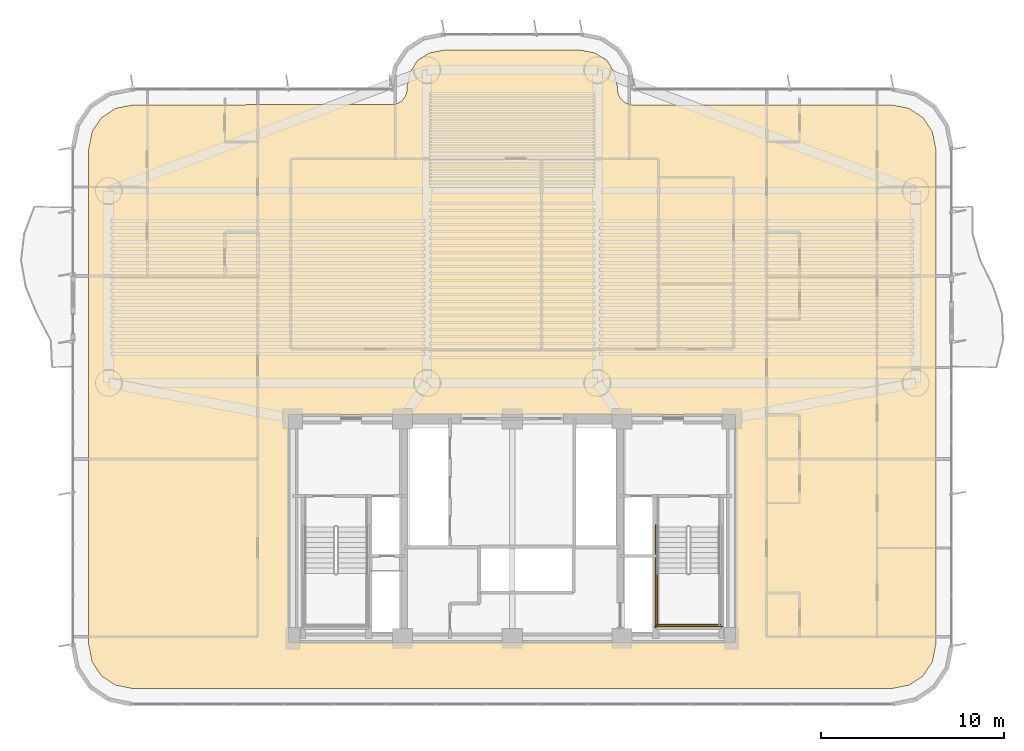
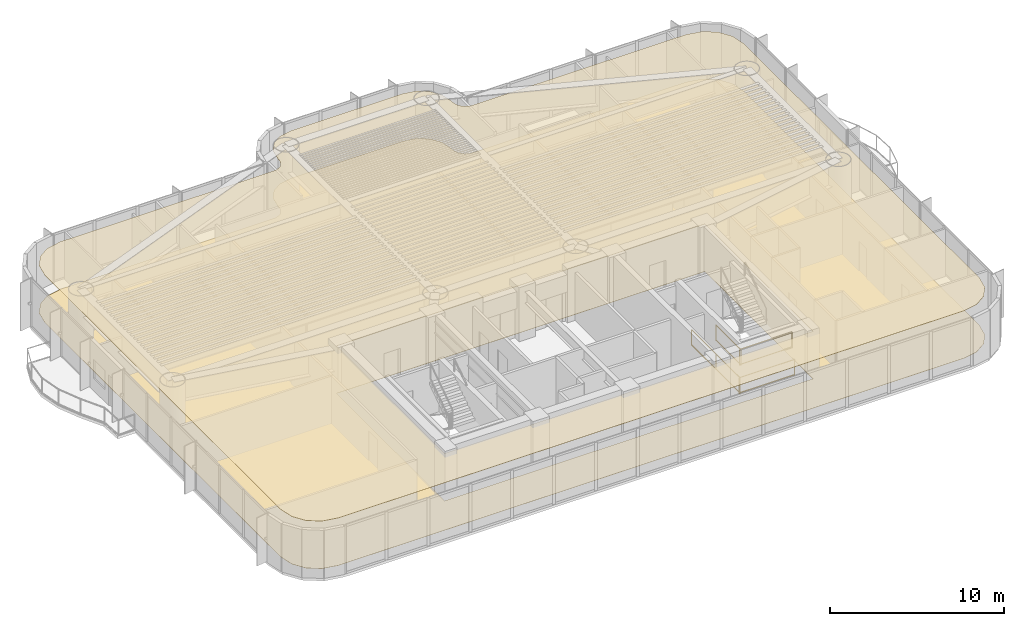
# One storey, part 15 of 17: 4 railings, 2 coverings.
"""IFC4 building model written with IfcOpenShell, lengths in metres."""

import ifcopenshell
import ifcopenshell.guid

model = None  # the IFC model being written
_history = None  # IfcOwnerHistory: only IFC2X3 demands one
_inside = {}  # id of a spatial element -> (the spatial element, [elements in it])
_under = {}  # id of a project, library or spatial element -> (it, [spatial elements below it])
_declared = {}  # id of a project -> (the project, [libraries it declares])
_typed = {}  # id of a type object -> (the type object, [elements of that type])
_made_of = {}  # id of a material, layer set ... -> (it, [elements and type objects made of it])


def new_model(schema):
    """Start an empty IFC model of exactly this schema.

    Asked for "IFC4X3", IfcOpenShell would pick the latest addendum, in which some entities
    have other attributes; the version numbers below select the first issue.
    IFC2X3 requires an IfcOwnerHistory on every rooted entity: one is made here for all.
    """
    global model, _history
    if schema == "IFC4X3":
        model = ifcopenshell.file(schema_version=(4, 3, 0, 0))
    else:
        model = ifcopenshell.file(schema=schema)
    _inside.clear()
    _under.clear()
    _declared.clear()
    _typed.clear()
    _made_of.clear()
    _history = None
    if model.schema == "IFC2X3":
        org = make("IfcOrganization", Name="unknown")
        user = make(
            "IfcPersonAndOrganization",
            ThePerson=make("IfcPerson", FamilyName="unknown"),
            TheOrganization=org,
        )
        app = make(
            "IfcApplication",
            ApplicationDeveloper=org,
            Version="unknown",
            ApplicationFullName="unknown",
            ApplicationIdentifier="unknown",
        )
        _history = make(
            "IfcOwnerHistory",
            OwningUser=user,
            OwningApplication=app,
            ChangeAction="ADDED",
            CreationDate=0,
        )
    return model


def make(cls, **values):
    """One entity of the class cls with the attributes given. An attribute that is None is left unset."""
    return model.create_entity(
        cls, **{name: value for name, value in values.items() if value is not None}
    )


def rooted(cls, **values):
    """An entity with a GlobalId (a new one), such as an element, a storey or a relation."""
    return make(cls, GlobalId=ifcopenshell.guid.new(), OwnerHistory=_history, **values)


def si_unit(unit_type, name, prefix=None):
    """IfcSIUnit, for example si_unit("LENGTHUNIT", "METRE", prefix="MILLI")."""
    return make("IfcSIUnit", UnitType=unit_type, Prefix=prefix, Name=name)


def assignment(units):
    """IfcUnitAssignment: the units of a project."""
    return None if units is None else make("IfcUnitAssignment", Units=units)


def point(xyz):
    """IfcCartesianPoint."""
    return None if xyz is None else make("IfcCartesianPoint", Coordinates=xyz)


def direction(xyz):
    """IfcDirection."""
    return None if xyz is None else make("IfcDirection", DirectionRatios=xyz)


def frame(location, z_axis=None, x_axis=None):
    """IfcAxis2Placement3D, a coordinate frame: its origin and axes. An axis left out is left unset."""
    return make(
        "IfcAxis2Placement3D",
        Location=point(location),
        Axis=direction(z_axis),
        RefDirection=direction(x_axis),
    )


def frame_2d(location, x_axis=None):
    """IfcAxis2Placement2D, a coordinate frame in the plane: its origin and x axis."""
    return make(
        "IfcAxis2Placement2D", Location=point(location), RefDirection=direction(x_axis)
    )


def origin():
    """The frame at (0, 0, 0) with its axes left unset."""
    return frame((0.0, 0.0, 0.0))


def origin_2d():
    """The frame at (0, 0) in the plane with its x axis left unset."""
    return frame_2d((0.0, 0.0))


def place(relative_to, where):
    """IfcLocalPlacement: puts the frame where relative to a parent placement (None: the world)."""
    return make(
        "IfcLocalPlacement", PlacementRelTo=relative_to, RelativePlacement=where
    )


def context(
    kind, dimensions, precision=None, world=None, true_north=None, identifier=None
):
    """IfcGeometricRepresentationContext, for example the 3D "Model" context."""
    return make(
        "IfcGeometricRepresentationContext",
        ContextIdentifier=identifier,
        ContextType=kind,
        CoordinateSpaceDimension=dimensions,
        Precision=precision,
        WorldCoordinateSystem=world,
        TrueNorth=true_north,
    )


def subcontext(parent, identifier, kind, view, scale=None):
    """IfcGeometricRepresentationSubContext, for example "Body" below "Model"."""
    return make(
        "IfcGeometricRepresentationSubContext",
        ContextIdentifier=identifier,
        ContextType=kind,
        ParentContext=parent,
        TargetScale=scale,
        TargetView=view,
    )


def project(units=None, contexts=None):
    """IfcProject with its units and contexts."""
    return rooted(
        "IfcProject",
        Name="project",
        RepresentationContexts=contexts,
        UnitsInContext=assignment(units),
    )


def spatial(cls, under=None, at=None, **own):
    """A site, building, storey or space (cls), placed at a placement, below another one or the project."""
    s = rooted(cls, ObjectPlacement=at, **own)
    if under is not None:
        _under.setdefault(under.id(), (under, []))[1].append(s)
    return s


def polyline(points):
    """IfcPolyline through the points."""
    return make("IfcPolyline", Points=[point(p) for p in points])


def profile(cls, at=None, kind="AREA", **sizes):
    """A parametric profile (cls). Its sizes go by their IFC names, for example OverallWidth=200.0."""
    return make(cls, ProfileType=kind, Position=at, **sizes)


def rectangle(**sizes):
    """IfcRectangleProfileDef."""
    return profile("IfcRectangleProfileDef", **sizes)


def outline(outer, holes=None, kind="AREA"):
    """IfcArbitraryClosedProfileDef: a profile drawn as a closed curve; with holes, ...WithVoids."""
    if holes is None:
        return make("IfcArbitraryClosedProfileDef", ProfileType=kind, OuterCurve=outer)
    return make(
        "IfcArbitraryProfileDefWithVoids",
        ProfileType=kind,
        OuterCurve=outer,
        InnerCurves=holes,
    )


def extrude(swept, where, along, depth):
    """IfcExtrudedAreaSolid: the profile swept, set in the frame where, extruded along a direction by depth."""
    return make(
        "IfcExtrudedAreaSolid",
        SweptArea=swept,
        Position=where,
        ExtrudedDirection=direction(along),
        Depth=depth,
    )


def shape(context_of_items, identifier, shape_type, items):
    """IfcShapeRepresentation: the items that make up one representation, for example the "Body"."""
    return make(
        "IfcShapeRepresentation",
        ContextOfItems=context_of_items,
        RepresentationIdentifier=identifier,
        RepresentationType=shape_type,
        Items=items,
    )


def material(Name=None, Category=None):
    """IfcMaterial."""
    return make("IfcMaterial", Name=Name, Category=Category)


def layer(
    of_material, thickness, ventilated=None, Name=None, Category=None, Priority=None
):
    """IfcMaterialLayer: one layer of a wall or slab, of a material (None: an air gap)."""
    return make(
        "IfcMaterialLayer",
        Material=of_material,
        LayerThickness=thickness,
        IsVentilated=ventilated,
        Name=Name,
        Category=Category,
        Priority=Priority,
    )


def layer_set(layers, Name=None):
    """IfcMaterialLayerSet."""
    return make("IfcMaterialLayerSet", MaterialLayers=layers, LayerSetName=Name)


def made_of(thing, what):
    """Note that an element or type object is made of a material, layer set ...; save() writes the relation."""
    if what is not None:
        _made_of.setdefault(what.id(), (what, []))[1].append(thing)
    return thing


def type_object(cls, material=None, **own):
    """A type object (cls), such as IfcWallType, which elements share."""
    return made_of(rooted(cls, **own), material)


def element(
    cls,
    number,
    at=None,
    inside=None,
    cuts=None,
    type_object=None,
    material=None,
    context=None,
    identifier="Body",
    shape_type=None,
    held_by="IfcProductDefinitionShape",
    body=None,
    shapes=None,
    **own,
):
    """One element of the class cls, such as IfcWall. Its Tag is "e" and its number.

    at: its placement. inside: the storey or other place that contains it. cuts: it is an
    opening in that element (IfcRelVoidsElement). A single representation is given by context,
    identifier, shape_type and body (its items); several are given by shapes. held_by: the class
    of the entity that holds the representations. save() writes the other relations.
    """
    e = rooted(cls, Tag="e%d" % number, ObjectPlacement=at, **own)
    if body is not None:
        shapes = [shape(context, identifier, shape_type, body)]
    if shapes is not None:
        e.Representation = make(held_by, Representations=shapes)
    if inside is not None:
        _inside.setdefault(inside.id(), (inside, []))[1].append(e)
    if cuts is not None:
        rooted(
            "IfcRelVoidsElement", RelatingBuildingElement=cuts, RelatedOpeningElement=e
        )
    if type_object is not None:
        _typed.setdefault(type_object.id(), (type_object, []))[1].append(e)
    return made_of(e, material)


def aggregate(whole, parts):
    """IfcRelAggregates: a whole, such as a stair, and the parts it consists of."""
    return rooted("IfcRelAggregates", RelatingObject=whole, RelatedObjects=parts)


def save(model, path):
    """Write the relations noted so far, then the file.

    IfcRelAggregates (storeys below a building ...), IfcRelContainedInSpatialStructure (elements
    in a storey), IfcRelDefinesByType, IfcRelAssociatesMaterial and IfcRelDeclares: one each for
    every whole, place, type object, material and project.
    """
    for whole, parts in _under.values():
        aggregate(whole, parts)
    for where, things in _inside.values():
        rooted(
            "IfcRelContainedInSpatialStructure",
            RelatedElements=things,
            RelatingStructure=where,
        )
    for kind, things in _typed.values():
        rooted("IfcRelDefinesByType", RelatedObjects=things, RelatingType=kind)
    for what, things in _made_of.values():
        rooted("IfcRelAssociatesMaterial", RelatedObjects=things, RelatingMaterial=what)
    for by, libraries in _declared.values():
        rooted("IfcRelDeclares", RelatingContext=by, RelatedDefinitions=libraries)
    model.write(path)


model = new_model("IFC4")

# Units and contexts
model_context = context("Model", 3, precision=1e-05, world=origin(), true_north=direction((0.0, 1.0)))
body_context = subcontext(model_context, "Body", "Model", "MODEL_VIEW")
ifc_project = project(units=[si_unit("LENGTHUNIT", "METRE"), si_unit("AREAUNIT", "SQUARE_METRE"), si_unit("VOLUMEUNIT", "CUBIC_METRE"), si_unit("PLANEANGLEUNIT", "RADIAN"), si_unit("MASSUNIT", "GRAM", prefix="KILO")], contexts=[model_context])

# Site, building, storey
site_placement = place(None, origin())
site = spatial("IfcSite", under=ifc_project, at=site_placement, CompositionType="ELEMENT")
building_placement = place(site_placement, origin())
building = spatial("IfcBuilding", under=site, at=building_placement, Name="Brelvock Crest Care Tower", CompositionType="ELEMENT")
storey_placement = place(building_placement, frame((0.0, 0.0, 76.139892578125)))
storey = spatial("IfcBuildingStorey", under=building, at=storey_placement, Name="L19", CompositionType="ELEMENT", Elevation=76.139892578125)

# Coverings
ifc_material_1 = material(Name="Mineral Fibre Acoustic Ceiling Tile", Category="gypsum")
ifc_layer_1 = layer(ifc_material_1, 0.02490234375, Name="COV-CLG1")
ifc_layer_set_1 = layer_set([ifc_layer_1], Name="Mineral Fibre Acoustic Ceiling Tile")
covering_type_1 = type_object("IfcCoveringType", Name="COV-CLG1", PredefinedType="CEILING", material=ifc_layer_set_1)
covering_1_placement = place(storey_placement, frame((0.0, 0.0, 3.317138671875)))
element("IfcCovering", 1, at=covering_1_placement, inside=storey, type_object=covering_type_1, Name="L19 Acoustic Suspended Ceiling 1", PredefinedType="CEILING", context=body_context, shape_type="SweptSolid", body=[
    extrude(outline(polyline([(56.71630859375, 35.14990234375), (42.5166015625, 35.154052734375), (42.353271484375, 35.1865234375), (42.127685546875, 35.293212890625), (41.893310546875, 35.52783203125), (41.766357421875, 35.834228515625), (41.75, 36.1162109375), (41.586181640625, 36.939697265625), (41.1669921875, 37.567138671875), (40.539794921875, 37.986083984375), (39.71630859375, 38.14990234375), (32.28369140625, 38.14990234375), (31.460205078125, 37.986083984375), (30.8330078125, 37.567138671875), (30.413818359375, 36.939697265625), (30.25, 36.1162109375), (30.233642578125, 35.834228515625), (30.149658203125, 35.599365234375), (30.0009765625, 35.39892578125), (29.872314453125, 35.293212890625), (29.56591796875, 35.166259765625), (15.28369140625, 35.14990234375), (14.30712890625, 34.955810546875), (13.550048828125, 34.449951171875), (13.044189453125, 33.69287109375), (12.85009765625, 32.71630859375), (12.85009765625, 5.68359375), (13.044189453125, 4.70703125), (13.550048828125, 3.9501953125), (14.30712890625, 3.4443359375), (15.28369140625, 3.25), (56.71630859375, 3.25), (57.69287109375, 3.4443359375), (58.449951171875, 3.9501953125), (58.955810546875, 4.70703125), (59.14990234375, 5.68359375), (59.14990234375, 32.71630859375), (58.955810546875, 33.69287109375), (58.449951171875, 34.449951171875), (57.69287109375, 34.955810546875), (56.71630859375, 35.14990234375)]), holes=[polyline([(48.199951171875, 5.800048828125), (48.199951171875, 18.199951171875), (23.800048828125, 18.199951171875), (23.800048828125, 5.800048828125), (48.199951171875, 5.800048828125)])]), origin(), (0.0, 0.0, 1.0), 0.02490234375),
])
ifc_material_2 = material(Name="Slip-Resistant Acoustic Vinyl Flooring", Category="finish")
ifc_layer_2 = layer(ifc_material_2, 0.014892578125, Name="COV-FLR1")
ifc_layer_set_2 = layer_set([ifc_layer_2], Name="Slip-Resistant Acoustic Vinyl Flooring")
covering_type_2 = type_object("IfcCoveringType", Name="COV-FLR1", PredefinedType="FLOORING", material=ifc_layer_set_2)
covering_2_placement = place(storey_placement, origin())
element("IfcCovering", 2, at=covering_2_placement, inside=storey, type_object=covering_type_2, Name="L19 Slip-Resistant Acoustic Flooring 1", PredefinedType="FLOORING", context=body_context, shape_type="SweptSolid", body=[
    extrude(outline(polyline([(56.71630859375, 35.14990234375), (42.5166015625, 35.154052734375), (42.353271484375, 35.1865234375), (42.127685546875, 35.293212890625), (41.893310546875, 35.52783203125), (41.766357421875, 35.834228515625), (41.75, 36.1162109375), (41.586181640625, 36.939697265625), (41.1669921875, 37.567138671875), (40.539794921875, 37.986083984375), (39.71630859375, 38.14990234375), (32.28369140625, 38.14990234375), (31.460205078125, 37.986083984375), (30.8330078125, 37.567138671875), (30.413818359375, 36.939697265625), (30.25, 36.1162109375), (30.233642578125, 35.834228515625), (30.149658203125, 35.599365234375), (30.0009765625, 35.39892578125), (29.872314453125, 35.293212890625), (29.56591796875, 35.166259765625), (15.28369140625, 35.14990234375), (14.30712890625, 34.955810546875), (13.550048828125, 34.449951171875), (13.044189453125, 33.69287109375), (12.85009765625, 32.71630859375), (12.85009765625, 5.68359375), (13.044189453125, 4.70703125), (13.550048828125, 3.9501953125), (14.30712890625, 3.4443359375), (15.28369140625, 3.25), (56.71630859375, 3.25), (57.69287109375, 3.4443359375), (58.449951171875, 3.9501953125), (58.955810546875, 4.70703125), (59.14990234375, 5.68359375), (59.14990234375, 32.71630859375), (58.955810546875, 33.69287109375), (58.449951171875, 34.449951171875), (57.69287109375, 34.955810546875), (56.71630859375, 35.14990234375)]), holes=[polyline([(48.199951171875, 5.800048828125), (48.199951171875, 18.199951171875), (23.800048828125, 18.199951171875), (23.800048828125, 5.800048828125), (48.199951171875, 5.800048828125)])]), origin(), (0.0, 0.0, 1.0), 0.01513671875),
])

# Railings
ifc_material_3 = material(Name="Steel Grade 350", Category="steel")
ifc_layer_3 = layer(ifc_material_3, 0.050048828125, Name="RL-STG1")
ifc_layer_set_3 = layer_set([ifc_layer_3], Name="Steel Grade 350")
railing_type = type_object("IfcRailingType", Name="RL-STG1", PredefinedType="GUARDRAIL", material=ifc_layer_set_3)
railing_1_placement = place(storey_placement, frame((43.93994140625, 9.56005859375, 1.89013671875)))
element("IfcRailing", 3, at=railing_1_placement, inside=storey, type_object=railing_type, Name="L19 ST-2 stair guard 3", PredefinedType="GUARDRAIL", context=body_context, shape_type="SweptSolid", body=[
    extrude(rectangle(XDim=0.048095703125, YDim=0.048095703125, at=origin_2d()), frame((0.0, -0.001953125, 1.11572265625), z_axis=(0.0, -1.0, 0.0), x_axis=(1.0, 0.0, 0.0)), (0.0, 0.0, 1.0), 2.856201171875),
    extrude(rectangle(XDim=0.048095703125, YDim=0.048095703125, at=origin_2d()), frame((0.0, -0.001953125, 0.054931640625), z_axis=(0.0, -1.0, 0.0), x_axis=(1.0, 0.0, 0.0)), (0.0, 0.0, 1.0), 2.856201171875),
    extrude(rectangle(XDim=0.0419921875, YDim=0.0419921875, at=origin_2d()), origin(), (0.0, 0.0, 1.0), 1.08984375),
    extrude(rectangle(XDim=0.0419921875, YDim=0.0419921875, at=origin_2d()), frame((0.0, -2.860107421875, 0.0)), (0.0, 0.0, 1.0), 1.08984375),
])
railing_2_placement = place(storey_placement, frame((43.889892578125, 6.75, 1.89013671875)))
element("IfcRailing", 4, at=railing_2_placement, inside=storey, type_object=railing_type, Name="L19 ST-2 stair guard 5", PredefinedType="GUARDRAIL", context=body_context, shape_type="SweptSolid", body=[
    extrude(rectangle(XDim=0.048095703125, YDim=0.048095703125, at=origin_2d()), frame((0.001953125, 0.0, 1.11572265625), z_axis=(1.0, 0.0, 0.0), x_axis=(0.0, 1.0, 0.0)), (0.0, 0.0, 1.0), 3.476318359375),
    extrude(rectangle(XDim=0.048095703125, YDim=0.048095703125, at=origin_2d()), frame((0.001953125, 0.0, 0.054931640625), z_axis=(1.0, 0.0, 0.0), x_axis=(0.0, 1.0, 0.0)), (0.0, 0.0, 1.0), 3.476318359375),
    extrude(rectangle(XDim=0.0419921875, YDim=0.0419921875, at=origin_2d()), origin(), (0.0, 0.0, 1.0), 1.08984375),
    extrude(rectangle(XDim=0.0419921875, YDim=0.0419921875, at=origin_2d()), frame((3.480224609375, 0.0, 0.0)), (0.0, 0.0, 1.0), 1.08984375),
])
railing_3_placement = place(storey_placement, frame((43.840087890625, 12.179931640625, 0.0)))
element("IfcRailing", 5, at=railing_3_placement, inside=storey, type_object=railing_type, Name="L19 ST-2 stair guard 10", PredefinedType="GUARDRAIL", context=body_context, shape_type="SweptSolid", body=[
    extrude(rectangle(XDim=0.048095703125, YDim=0.048095703125, at=origin_2d()), frame((0.0, -0.001953125, 1.11572265625), z_axis=(0.0, -1.0, 0.0), x_axis=(1.0, 0.0, 0.0)), (0.0, 0.0, 1.0), 5.575927734375),
    extrude(rectangle(XDim=0.048095703125, YDim=0.048095703125, at=origin_2d()), frame((0.0, -0.001953125, 0.054931640625), z_axis=(0.0, -1.0, 0.0), x_axis=(1.0, 0.0, 0.0)), (0.0, 0.0, 1.0), 5.575927734375),
    extrude(rectangle(XDim=0.0419921875, YDim=0.0419921875, at=origin_2d()), origin(), (0.0, 0.0, 1.0), 1.08984375),
    extrude(rectangle(XDim=0.0419921875, YDim=0.0419921875, at=origin_2d()), frame((0.0, -2.7900390625, 0.0)), (0.0, 0.0, 1.0), 1.08984375),
    extrude(rectangle(XDim=0.0419921875, YDim=0.0419921875, at=origin_2d()), frame((0.0, -5.579833984375, 0.0)), (0.0, 0.0, 1.0), 1.08984375),
])
railing_4_placement = place(storey_placement, frame((43.7900390625, 6.64990234375, 0.0)))
element("IfcRailing", 6, at=railing_4_placement, inside=storey, type_object=railing_type, Name="L19 ST-2 stair guard 12", PredefinedType="GUARDRAIL", context=body_context, shape_type="SweptSolid", body=[
    extrude(rectangle(XDim=0.048095703125, YDim=0.048095703125, at=origin_2d()), frame((0.001953125, 0.0, 1.11572265625), z_axis=(1.0, 0.0, 0.0), x_axis=(0.0, 1.0, 0.0)), (0.0, 0.0, 1.0), 3.676025390625),
    extrude(rectangle(XDim=0.048095703125, YDim=0.048095703125, at=origin_2d()), frame((0.001953125, 0.0, 0.054931640625), z_axis=(1.0, 0.0, 0.0), x_axis=(0.0, 1.0, 0.0)), (0.0, 0.0, 1.0), 3.676025390625),
    extrude(rectangle(XDim=0.0419921875, YDim=0.0419921875, at=origin_2d()), origin(), (0.0, 0.0, 1.0), 1.08984375),
    extrude(rectangle(XDim=0.0419921875, YDim=0.0419921875, at=origin_2d()), frame((3.679931640625, 0.0, 0.0)), (0.0, 0.0, 1.0), 1.08984375),
])

save(model, "model.ifc")
